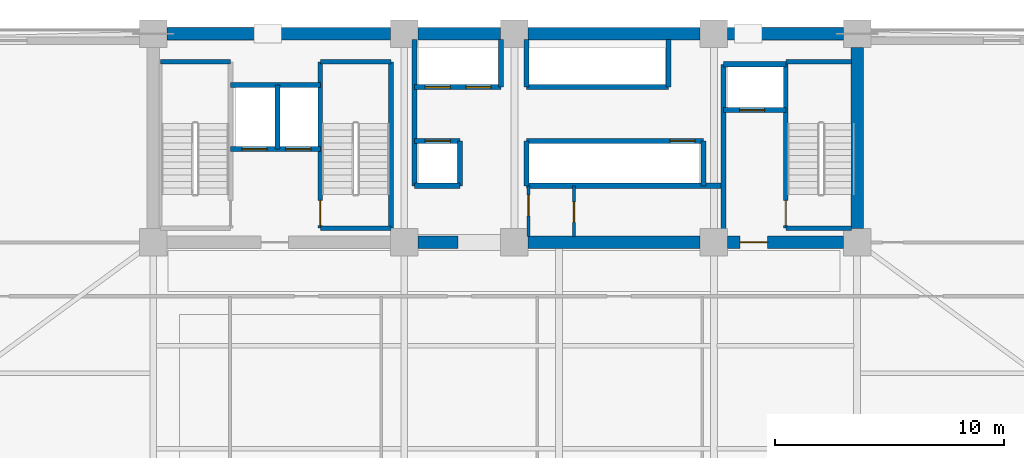
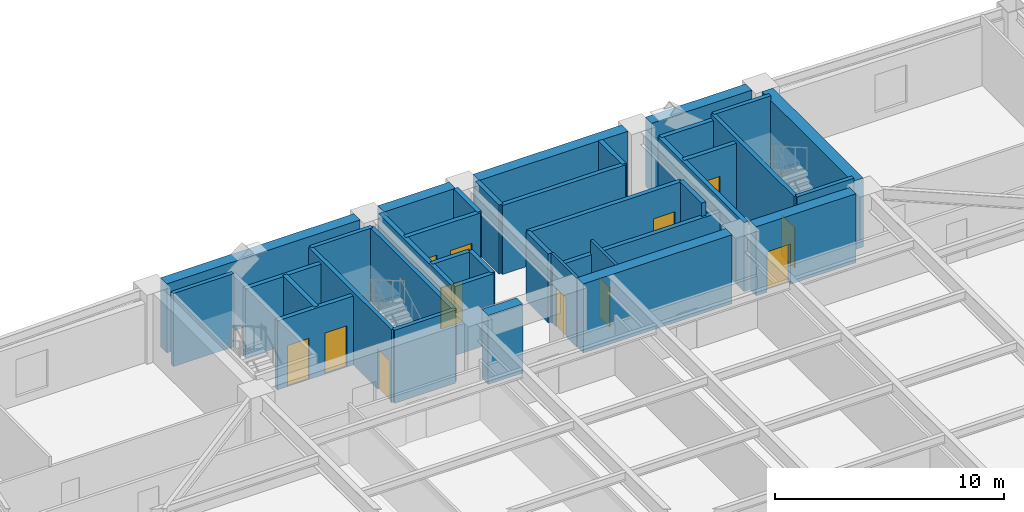
# One storey, part 9 of 16: 37 walls, 12 doors, 12 openings.
"""IFC4 building model written with IfcOpenShell, lengths in metres."""

from ifc_helpers import new_model, si_unit, direction, frame, frame_2d, origin, place, context, subcontext, project, spatial, rectangle, extrude, source, transform, mapped, material, layer, layer_set, type_object, element, fill, save


model = new_model("IFC4")

# Units and contexts
model_context = context("Model", 3, precision=1e-05, world=origin(), true_north=direction((0.0, 1.0)))
body_context = subcontext(model_context, "Body", "Model", "MODEL_VIEW")
ifc_project = project(units=[si_unit("LENGTHUNIT", "METRE"), si_unit("AREAUNIT", "SQUARE_METRE"), si_unit("VOLUMEUNIT", "CUBIC_METRE"), si_unit("PLANEANGLEUNIT", "RADIAN"), si_unit("MASSUNIT", "GRAM", prefix="KILO")], contexts=[model_context])

# Site, building, storey
site_placement = place(None, origin())
site = spatial("IfcSite", under=ifc_project, at=site_placement, CompositionType="ELEMENT")
building_placement = place(site_placement, origin())
building = spatial("IfcBuilding", under=site, at=building_placement, Name="Giltprow Tower", CompositionType="ELEMENT")
storey_placement = place(building_placement, frame((0.0, 0.0, 87.39990234375)))
storey = spatial("IfcBuildingStorey", under=building, at=storey_placement, Name="L21", CompositionType="ELEMENT", Elevation=87.39990234375)

# Wall, openings, doors
ifc_material_1 = material(Name="Concrete C40", Category="concrete")
ifc_layer_1 = layer(ifc_material_1, 0.219970703125, Name="Concrete C40")
ifc_layer_set_1 = layer_set([ifc_layer_1], Name="Concrete C40")
wall_type_1 = type_object("IfcWallType", Name="IW-SHAFT-220", PredefinedType="SOLIDWALL", material=ifc_layer_set_1)
wall_1_placement = place(storey_placement, frame((23.219970703125, 41.52001953125, 0.0), z_axis=(0.0, 0.0, 1.0), x_axis=(1.0, 0.0, 0.0)))
wall_1 = element("IfcWall", 1, at=wall_1_placement, inside=storey, type_object=wall_type_1, Name="L21 FFL1 and Service Lift Front Wall", PredefinedType="SOLIDWALL", context=body_context, shape_type="SweptSolid", body=[
    extrude(rectangle(XDim=3.919921875, YDim=0.219970703125, at=frame_2d((1.9599609375, 0.0))), origin(), (0.0, 0.0, 1.0), 3.68017578125),
])
opening_1_placement = place(wall_1_placement, frame((0.5, 0.0, 0.0)))
opening_1 = element("IfcOpeningElement", 2, at=opening_1_placement, cuts=wall_1, Name="Opening LD-11", PredefinedType="OPENING", context=body_context, shape_type="SweptSolid", body=[
    extrude(rectangle(XDim=1.10009765625, YDim=2.199951171875, at=frame_2d((0.550048828125, 1.10009765625))), frame((0.0, 0.119873046875, 0.0), z_axis=(0.0, -1.0, 0.0), x_axis=(1.0, 0.0, 0.0)), (0.0, 0.0, 1.0), 0.239990234375),
])
opening_2_placement = place(wall_1_placement, frame((2.39990234375, 0.0, 0.0)))
opening_2 = element("IfcOpeningElement", 3, at=opening_2_placement, cuts=wall_1, Name="Opening LD-11", PredefinedType="OPENING", context=body_context, shape_type="SweptSolid", body=[
    extrude(rectangle(XDim=1.10009765625, YDim=2.199951171875, at=frame_2d((0.550048828125, 1.10009765625))), frame((0.0, 0.119873046875, 0.0), z_axis=(0.0, -1.0, 0.0), x_axis=(1.0, 0.0, 0.0)), (0.0, 0.0, 1.0), 0.239990234375),
])
ifc_material_2 = material(Name="Stainless steel", Category="steel")
door_type_1 = type_object("IfcDoorType", Name="DR-LIFT-LD1100", OperationType="SLIDING_TO_LEFT", PredefinedType="DOOR", material=ifc_material_2)
shared_shape_1 = source(origin(), body_context, "Body", "SweptSolid", [
    extrude(rectangle(XDim=1.10009765625, YDim=2.199951171875, at=frame_2d((0.550048828125, 1.10009765625))), frame((0.0, 0.02490234375, 0.0), z_axis=(0.0, -1.0, 0.0), x_axis=(1.0, 0.0, 0.0)), (0.0, 0.0, 1.0), 0.050048828125),
])
door_1_placement = place(opening_1_placement, origin())
door_1 = element("IfcDoor", 4, at=door_1_placement, inside=storey, type_object=door_type_1, Name="L21 FFL1 Landing Door", OperationType="SLIDING_TO_LEFT", OverallHeight=2.199951171875, OverallWidth=1.10009765625, PredefinedType="DOOR", context=body_context, shape_type="MappedRepresentation", body=[
    mapped(shared_shape_1, transform((0.0, 0.0, 0.0), x_axis=(1.0, 0.0, 0.0), y_axis=(0.0, 1.0, 0.0), z_axis=(0.0, 0.0, 1.0), scale=1.0)),
])
fill(opening_1, door_1)
door_2_placement = place(opening_2_placement, origin())
door_2 = element("IfcDoor", 5, at=door_2_placement, inside=storey, type_object=door_type_1, Name="L21 SVL1 Landing Door", OperationType="SLIDING_TO_LEFT", OverallHeight=2.199951171875, OverallWidth=1.10009765625, PredefinedType="DOOR", context=body_context, shape_type="MappedRepresentation", body=[
    mapped(shared_shape_1, transform((0.0, 0.0, 0.0), x_axis=(1.0, 0.0, 0.0), y_axis=(0.0, 1.0, 0.0), z_axis=(0.0, 0.0, 1.0), scale=1.0)),
])
fill(opening_2, door_2)

# Walls
wall_2_placement = place(storey_placement, frame((25.260009765625, 41.52001953125, 0.0), z_axis=(0.0, 0.0, 1.0), x_axis=(0.0, 1.0, 0.0)))
element("IfcWall", 6, at=wall_2_placement, inside=storey, type_object=wall_type_1, Name="L21 FFL1-SVL1 Shaft Divider", PredefinedType="SOLIDWALL", context=body_context, shape_type="SweptSolid", body=[
    extrude(rectangle(XDim=2.800048828125, YDim=0.219970703125, at=frame_2d((1.39990234375, 0.0))), origin(), (0.0, 0.0, 1.0), 3.68017578125),
])
wall_3_placement = place(storey_placement, frame((23.219970703125, 44.320068359375, 0.0), z_axis=(0.0, 0.0, 1.0), x_axis=(1.0, 0.0, 0.0)))
element("IfcWall", 7, at=wall_3_placement, inside=storey, type_object=wall_type_1, Name="L21 FFL1-SVL1 Back Shaft Wall", PredefinedType="SOLIDWALL", context=body_context, shape_type="SweptSolid", body=[
    extrude(rectangle(XDim=3.919921875, YDim=0.219970703125, at=frame_2d((1.9599609375, 0.0))), origin(), (0.0, 0.0, 1.0), 3.68017578125),
])

# Wall, opening, door
wall_4_placement = place(storey_placement, frame((44.719970703125, 43.219970703125, 0.0), z_axis=(0.0, 0.0, 1.0), x_axis=(1.0, 0.0, 0.0)))
wall_4 = element("IfcWall", 8, at=wall_4_placement, inside=storey, type_object=wall_type_1, Name="L21 FFL2 Front Shaft Wall", PredefinedType="SOLIDWALL", context=body_context, shape_type="SweptSolid", body=[
    extrude(rectangle(XDim=2.719970703125, YDim=0.219970703125, at=frame_2d((1.35986328125, 0.0))), origin(), (0.0, 0.0, 1.0), 3.68017578125),
])
opening_3_placement = place(wall_4_placement, frame((0.699951171875, 0.0, 0.0)))
opening_3 = element("IfcOpeningElement", 9, at=opening_3_placement, cuts=wall_4, Name="Opening LD-11", PredefinedType="OPENING", context=body_context, shape_type="SweptSolid", body=[
    extrude(rectangle(XDim=1.10009765625, YDim=2.199951171875, at=frame_2d((0.550048828125, 1.10009765625))), frame((0.0, 0.119873046875, 0.0), z_axis=(0.0, -1.0, 0.0), x_axis=(1.0, 0.0, 0.0)), (0.0, 0.0, 1.0), 0.239990234375),
])
door_3_placement = place(opening_3_placement, origin())
door_3 = element("IfcDoor", 10, at=door_3_placement, inside=storey, type_object=door_type_1, Name="L21 FFL2 Landing Door", OperationType="SLIDING_TO_LEFT", OverallHeight=2.199951171875, OverallWidth=1.10009765625, PredefinedType="DOOR", context=body_context, shape_type="MappedRepresentation", body=[
    mapped(shared_shape_1, transform((0.0, 0.0, 0.0), x_axis=(1.0, 0.0, 0.0), y_axis=(0.0, 1.0, 0.0), z_axis=(0.0, 0.0, 1.0), scale=1.0)),
])
fill(opening_3, door_3)

# Walls
wall_5_placement = place(storey_placement, frame((44.719970703125, 45.219970703125, 0.0), z_axis=(0.0, 0.0, 1.0), x_axis=(1.0, 0.0, 0.0)))
element("IfcWall", 11, at=wall_5_placement, inside=storey, type_object=wall_type_1, Name="L21 FFL2 Back Shaft Wall", PredefinedType="SOLIDWALL", context=body_context, shape_type="SweptSolid", body=[
    extrude(rectangle(XDim=2.719970703125, YDim=0.219970703125, at=frame_2d((1.35986328125, 0.0))), origin(), (0.0, 0.0, 1.0), 3.68017578125),
])
wall_6_placement = place(storey_placement, frame((44.719970703125, 37.705078125, 0.0), z_axis=(0.0, 0.0, 1.0), x_axis=(0.0, 1.0, 0.0)))
element("IfcWall", 12, at=wall_6_placement, inside=storey, type_object=wall_type_1, Name="L21 East Firefighting Lobby West Wall", PredefinedType="SOLIDWALL", context=body_context, shape_type="SweptSolid", body=[
    extrude(rectangle(XDim=7.514892578125, YDim=0.219970703125, at=frame_2d((3.75732421875, 0.0))), origin(), (0.0, 0.0, 1.0), 3.68017578125),
])

# Wall, openings, doors
wall_7_placement = place(storey_placement, frame((31.25, 44.219970703125, 0.0), z_axis=(0.0, 0.0, 1.0), x_axis=(1.0, 0.0, 0.0)))
wall_7 = element("IfcWall", 13, at=wall_7_placement, inside=storey, type_object=wall_type_1, Name="L21 North West Lift Shaft Front Wall", PredefinedType="SOLIDWALL", context=body_context, shape_type="SweptSolid", body=[
    extrude(rectangle(XDim=3.77001953125, YDim=0.219970703125, at=frame_2d((1.885009765625, 0.0))), origin(), (0.0, 0.0, 1.0), 3.68017578125),
])
opening_4_placement = place(wall_7_placement, frame((0.4599609375, 0.0, 0.0)))
opening_4 = element("IfcOpeningElement", 14, at=opening_4_placement, cuts=wall_7, Name="Opening LD-11", PredefinedType="OPENING", context=body_context, shape_type="SweptSolid", body=[
    extrude(rectangle(XDim=1.10009765625, YDim=2.199951171875, at=frame_2d((0.550048828125, 1.10009765625))), frame((0.0, 0.119873046875, 0.0), z_axis=(0.0, -1.0, 0.0), x_axis=(1.0, 0.0, 0.0)), (0.0, 0.0, 1.0), 0.239990234375),
])
opening_5_placement = place(wall_7_placement, frame((2.239990234375, 0.0, 0.0)))
opening_5 = element("IfcOpeningElement", 15, at=opening_5_placement, cuts=wall_7, Name="Opening LD-11", PredefinedType="OPENING", context=body_context, shape_type="SweptSolid", body=[
    extrude(rectangle(XDim=1.10009765625, YDim=2.199951171875, at=frame_2d((0.550048828125, 1.10009765625))), frame((0.0, 0.119873046875, 0.0), z_axis=(0.0, -1.0, 0.0), x_axis=(1.0, 0.0, 0.0)), (0.0, 0.0, 1.0), 0.239990234375),
])
door_4_placement = place(opening_4_placement, origin())
door_4 = element("IfcDoor", 16, at=door_4_placement, inside=storey, type_object=door_type_1, Name="L21 PL-L1 Landing Door", OperationType="SLIDING_TO_LEFT", OverallHeight=2.199951171875, OverallWidth=1.10009765625, PredefinedType="DOOR", context=body_context, shape_type="MappedRepresentation", body=[
    mapped(shared_shape_1, transform((0.0, 0.0, 0.0), x_axis=(1.0, 0.0, 0.0), y_axis=(0.0, 1.0, 0.0), z_axis=(0.0, 0.0, 1.0), scale=1.0)),
])
fill(opening_4, door_4)
door_5_placement = place(opening_5_placement, origin())
door_5 = element("IfcDoor", 17, at=door_5_placement, inside=storey, type_object=door_type_1, Name="L21 PL-L2 Landing Door", OperationType="SLIDING_TO_LEFT", OverallHeight=2.199951171875, OverallWidth=1.10009765625, PredefinedType="DOOR", context=body_context, shape_type="MappedRepresentation", body=[
    mapped(shared_shape_1, transform((0.0, 0.0, 0.0), x_axis=(1.0, 0.0, 0.0), y_axis=(0.0, 1.0, 0.0), z_axis=(0.0, 0.0, 1.0), scale=1.0)),
])
fill(opening_5, door_5)

# Walls
wall_8_placement = place(storey_placement, frame((36.1201171875, 44.219970703125, 0.0), z_axis=(0.0, 0.0, 1.0), x_axis=(1.0, 0.0, 0.0)))
element("IfcWall", 18, at=wall_8_placement, inside=storey, type_object=wall_type_1, Name="L21 North East Lift Shaft Front Wall", PredefinedType="SOLIDWALL", context=body_context, shape_type="SweptSolid", body=[
    extrude(rectangle(XDim=6.199951171875, YDim=0.219970703125, at=frame_2d((3.10009765625, 0.0))), origin(), (0.0, 0.0, 1.0), 3.68017578125),
])
for number, where, z_axis, x_axis, name in (
    (19, (35.02001953125, 44.219970703125, 0.0), (0.0, 0.0, 1.0), (0.0, 1.0, 0.0), "L21 North West Lift Shaft East Closure"),
    (20, (36.1201171875, 44.219970703125, 0.0), (0.0, 0.0, 1.0), (0.0, 1.0, 0.0), "L21 North East Lift Shaft West Closure"),
    (21, (42.320068359375, 44.219970703125, 0.0), (0.0, 0.0, 1.0), (0.0, 1.0, 0.0), "L21 North East Lift Shaft East Closure"),
):
    element("IfcWall", number, at=place(storey_placement, frame(where, z_axis=z_axis, x_axis=x_axis)), inside=storey, type_object=wall_type_1, Name=name, PredefinedType="SOLIDWALL", context=body_context, shape_type="SweptSolid", body=[
        extrude(rectangle(XDim=2.074951171875, YDim=0.219970703125, at=frame_2d((1.03759765625, 0.0))), origin(), (0.0, 0.0, 1.0), 3.68017578125),
    ])

# Wall, opening, door
wall_9_placement = place(storey_placement, frame((31.25, 41.8798828125, 0.0), z_axis=(0.0, 0.0, 1.0), x_axis=(1.0, 0.0, 0.0)))
wall_9 = element("IfcWall", 22, at=wall_9_placement, inside=storey, type_object=wall_type_1, Name="L21 South West Lift Shaft Front Wall", PredefinedType="SOLIDWALL", context=body_context, shape_type="SweptSolid", body=[
    extrude(rectangle(XDim=1.969970703125, YDim=0.219970703125, at=frame_2d((0.98486328125, 0.0))), origin(), (0.0, 0.0, 1.0), 3.68017578125),
])
opening_6_placement = place(wall_9_placement, frame((0.4599609375, 0.0, 0.0)))
opening_6 = element("IfcOpeningElement", 23, at=opening_6_placement, cuts=wall_9, Name="Opening LD-11", PredefinedType="OPENING", context=body_context, shape_type="SweptSolid", body=[
    extrude(rectangle(XDim=1.10009765625, YDim=2.199951171875, at=frame_2d((0.550048828125, 1.10009765625))), frame((0.0, 0.119873046875, 0.0), z_axis=(0.0, -1.0, 0.0), x_axis=(1.0, 0.0, 0.0)), (0.0, 0.0, 1.0), 0.239990234375),
])
door_6_placement = place(opening_6_placement, origin())
door_6 = element("IfcDoor", 24, at=door_6_placement, inside=storey, type_object=door_type_1, Name="L21 PL-L3 Landing Door", OperationType="SLIDING_TO_LEFT", OverallHeight=2.199951171875, OverallWidth=1.10009765625, PredefinedType="DOOR", context=body_context, shape_type="MappedRepresentation", body=[
    mapped(shared_shape_1, transform((0.0, 0.0, 0.0), x_axis=(1.0, 0.0, 0.0), y_axis=(0.0, 1.0, 0.0), z_axis=(0.0, 0.0, 1.0), scale=1.0)),
])
fill(opening_6, door_6)

wall_10_placement = place(storey_placement, frame((36.1201171875, 41.8798828125, 0.0), z_axis=(0.0, 0.0, 1.0), x_axis=(1.0, 0.0, 0.0)))
wall_10 = element("IfcWall", 25, at=wall_10_placement, inside=storey, type_object=wall_type_1, Name="L21 South East Lift Shaft Front Wall", PredefinedType="SOLIDWALL", context=body_context, shape_type="SweptSolid", body=[
    extrude(rectangle(XDim=7.72998046875, YDim=0.219970703125, at=frame_2d((3.864990234375, 0.0))), origin(), (0.0, 0.0, 1.0), 3.68017578125),
])
opening_7_placement = place(wall_10_placement, frame((6.260009765625, 0.0, 0.0)))
opening_7 = element("IfcOpeningElement", 26, at=opening_7_placement, cuts=wall_10, Name="Opening LD-11", PredefinedType="OPENING", context=body_context, shape_type="SweptSolid", body=[
    extrude(rectangle(XDim=1.10009765625, YDim=2.199951171875, at=frame_2d((0.550048828125, 1.10009765625))), frame((0.0, 0.119873046875, 0.0), z_axis=(0.0, -1.0, 0.0), x_axis=(1.0, 0.0, 0.0)), (0.0, 0.0, 1.0), 0.239990234375),
])
door_7_placement = place(opening_7_placement, origin())
door_7 = element("IfcDoor", 27, at=door_7_placement, inside=storey, type_object=door_type_1, Name="L21 PL-L4 Landing Door", OperationType="SLIDING_TO_LEFT", OverallHeight=2.199951171875, OverallWidth=1.10009765625, PredefinedType="DOOR", context=body_context, shape_type="MappedRepresentation", body=[
    mapped(shared_shape_1, transform((0.0, 0.0, 0.0), x_axis=(1.0, 0.0, 0.0), y_axis=(0.0, 1.0, 0.0), z_axis=(0.0, 0.0, 1.0), scale=1.0)),
])
fill(opening_7, door_7)

# Walls
wall_11_placement = place(storey_placement, frame((31.25, 39.919921875, 0.0), z_axis=(0.0, 0.0, 1.0), x_axis=(1.0, 0.0, 0.0)))
element("IfcWall", 28, at=wall_11_placement, inside=storey, type_object=wall_type_1, Name="L21 Low-Rise South Lift Back Wall", PredefinedType="SOLIDWALL", context=body_context, shape_type="SweptSolid", body=[
    extrude(rectangle(XDim=1.969970703125, YDim=0.219970703125, at=frame_2d((0.98486328125, 0.0))), origin(), (0.0, 0.0, 1.0), 3.68017578125),
])
wall_12_placement = place(storey_placement, frame((33.219970703125, 39.919921875, 0.0), z_axis=(0.0, 0.0, 1.0), x_axis=(0.0, 1.0, 0.0)))
element("IfcWall", 29, at=wall_12_placement, inside=storey, type_object=wall_type_1, Name="L21 Low-Rise South Lift East Closure", PredefinedType="SOLIDWALL", context=body_context, shape_type="SweptSolid", body=[
    extrude(rectangle(XDim=1.9599609375, YDim=0.219970703125, at=frame_2d((0.97998046875, 0.0))), origin(), (0.0, 0.0, 1.0), 3.68017578125),
])
wall_13_placement = place(storey_placement, frame((36.1201171875, 39.919921875, 0.0), z_axis=(0.0, 0.0, 1.0), x_axis=(1.0, 0.0, 0.0)))
element("IfcWall", 30, at=wall_13_placement, inside=storey, type_object=wall_type_1, Name="L21 Express South Shaft Back Wall", PredefinedType="SOLIDWALL", context=body_context, shape_type="SweptSolid", body=[
    extrude(rectangle(XDim=8.599853515625, YDim=0.219970703125, at=frame_2d((4.2998046875, 0.0))), origin(), (0.0, 0.0, 1.0), 2.965087890625),
])
wall_14_placement = place(storey_placement, frame((36.1201171875, 39.919921875, 0.0), z_axis=(0.0, 0.0, 1.0), x_axis=(0.0, 1.0, 0.0)))
element("IfcWall", 31, at=wall_14_placement, inside=storey, type_object=wall_type_1, Name="L21 Express South Shaft West Closure", PredefinedType="SOLIDWALL", context=body_context, shape_type="SweptSolid", body=[
    extrude(rectangle(XDim=1.9599609375, YDim=0.219970703125, at=frame_2d((0.97998046875, 0.0))), origin(), (0.0, 0.0, 1.0), 3.68017578125),
])
wall_15_placement = place(storey_placement, frame((31.25, 39.919921875, 0.0), z_axis=(0.0, 0.0, 1.0), x_axis=(0.0, 1.0, 0.0)))
element("IfcWall", 32, at=wall_15_placement, inside=storey, type_object=wall_type_1, Name="L21 Lift Bank West Closure", PredefinedType="SOLIDWALL", context=body_context, shape_type="SweptSolid", body=[
    extrude(rectangle(XDim=6.375, YDim=0.219970703125, at=frame_2d((3.1875, 0.0))), origin(), (0.0, 0.0, 1.0), 3.68017578125),
])
wall_16_placement = place(storey_placement, frame((43.85009765625, 39.919921875, 0.0), z_axis=(0.0, 0.0, 1.0), x_axis=(0.0, 1.0, 0.0)))
element("IfcWall", 33, at=wall_16_placement, inside=storey, type_object=wall_type_1, Name="L21 Lift Bank South-East Closure", PredefinedType="SOLIDWALL", context=body_context, shape_type="SweptSolid", body=[
    extrude(rectangle(XDim=1.9599609375, YDim=0.219970703125, at=frame_2d((0.97998046875, 0.0))), origin(), (0.0, 0.0, 1.0), 3.68017578125),
])
ifc_layer_2 = layer(ifc_material_1, 0.199951171875, Name="Concrete C40")
ifc_layer_set_2 = layer_set([ifc_layer_2], Name="Concrete C40")
wall_type_2 = type_object("IfcWallType", Name="IW-STAIR-200", PredefinedType="SOLIDWALL", material=ifc_layer_set_2)
wall_17_placement = place(storey_placement, frame((20.169921875, 45.320068359375, 0.0), z_axis=(0.0, 0.0, 1.0), x_axis=(1.0, 0.0, 0.0)))
element("IfcWall", 34, at=wall_17_placement, inside=storey, type_object=wall_type_2, Name="L21 Stair ST-1 North Bearing Wall", PredefinedType="SOLIDWALL", context=body_context, shape_type="SweptSolid", body=[
    extrude(rectangle(XDim=3.050048828125, YDim=0.199951171875, at=frame_2d((1.52490234375, 0.0))), origin(), (0.0, 0.0, 1.0), 3.900146484375),
])

# Wall, opening, door
wall_18_placement = place(storey_placement, frame((27.139892578125, 38.070068359375, 0.0), z_axis=(0.0, 0.0, 1.0), x_axis=(0.0, 1.0, 0.0)))
wall_18 = element("IfcWall", 35, at=wall_18_placement, inside=storey, type_object=wall_type_2, Name="L21 Stair ST-2 West Bearing Wall", PredefinedType="SOLIDWALL", context=body_context, shape_type="SweptSolid", body=[
    extrude(rectangle(XDim=7.25, YDim=0.199951171875, at=frame_2d((3.625, 0.0))), origin(), (0.0, 0.0, 1.0), 3.900146484375),
])
opening_8_placement = place(wall_18_placement, frame((0.110107421875, 0.0, 0.0)))
opening_8 = element("IfcOpeningElement", 36, at=opening_8_placement, cuts=wall_18, Name="Opening ID33", PredefinedType="OPENING", context=body_context, shape_type="SweptSolid", body=[
    extrude(rectangle(XDim=1.10009765625, YDim=2.14990234375, at=frame_2d((0.550048828125, 1.074951171875))), frame((0.0, 0.10986328125, 0.0), z_axis=(0.0, -1.0, 0.0), x_axis=(1.0, 0.0, 0.0)), (0.0, 0.0, 1.0), 0.219970703125),
])
ifc_material_3 = material(Name="Steel fire leaf", Category="steel")
door_type_2 = type_object("IfcDoorType", Name="DR-STAIR-1100", OperationType="SINGLE_SWING_LEFT", PredefinedType="DOOR", material=ifc_material_3)
shared_shape_2 = source(origin(), body_context, "Body", "SweptSolid", [
    extrude(rectangle(XDim=1.10009765625, YDim=2.14990234375, at=frame_2d((0.550048828125, 1.074951171875))), frame((0.0, 0.02490234375, 0.0), z_axis=(0.0, -1.0, 0.0), x_axis=(1.0, 0.0, 0.0)), (0.0, 0.0, 1.0), 0.050048828125),
])
door_8_placement = place(opening_8_placement, origin())
door_8 = element("IfcDoor", 37, at=door_8_placement, inside=storey, type_object=door_type_2, Name="L21 Stair ST-2 Fire Door", OperationType="SINGLE_SWING_RIGHT", OverallHeight=2.14990234375, OverallWidth=1.10009765625, PredefinedType="DOOR", context=body_context, shape_type="MappedRepresentation", body=[
    mapped(shared_shape_2, transform((0.0, 0.0, 0.0), x_axis=(1.0, 0.0, 0.0), y_axis=(0.0, 1.0, 0.0), z_axis=(0.0, 0.0, 1.0), scale=1.0)),
])
fill(opening_8, door_8)

# Walls
wall_19_placement = place(storey_placement, frame((30.219970703125, 38.070068359375, 0.0), z_axis=(0.0, 0.0, 1.0), x_axis=(0.0, 1.0, 0.0)))
element("IfcWall", 38, at=wall_19_placement, inside=storey, type_object=wall_type_2, Name="L21 Stair ST-2 East Bearing Wall", PredefinedType="SOLIDWALL", context=body_context, shape_type="SweptSolid", body=[
    extrude(rectangle(XDim=7.25, YDim=0.199951171875, at=frame_2d((3.625, 0.0))), origin(), (0.0, 0.0, 1.0), 3.900146484375),
])
for number, where, z_axis, x_axis, name in (
    (39, (27.139892578125, 45.320068359375, 0.0), (0.0, 0.0, 1.0), (1.0, 0.0, 0.0), "L21 Stair ST-2 North Bearing Wall"),
    (40, (27.139892578125, 38.070068359375, 0.0), (0.0, 0.0, 1.0), (1.0, 0.0, 0.0), "L21 Stair ST-2 South Bearing Wall"),
):
    element("IfcWall", number, at=place(storey_placement, frame(where, z_axis=z_axis, x_axis=x_axis)), inside=storey, type_object=wall_type_2, Name=name, PredefinedType="SOLIDWALL", context=body_context, shape_type="SweptSolid", body=[
        extrude(rectangle(XDim=3.080078125, YDim=0.199951171875, at=frame_2d((1.5400390625, 0.0))), origin(), (0.0, 0.0, 1.0), 3.900146484375),
    ])

# Wall, opening, door
wall_20_placement = place(storey_placement, frame((47.43994140625, 38.070068359375, 0.0), z_axis=(0.0, 0.0, 1.0), x_axis=(0.0, 1.0, 0.0)))
wall_20 = element("IfcWall", 41, at=wall_20_placement, inside=storey, type_object=wall_type_2, Name="L21 Stair ST-3 West Bearing Wall", PredefinedType="SOLIDWALL", context=body_context, shape_type="SweptSolid", body=[
    extrude(rectangle(XDim=7.25, YDim=0.199951171875, at=frame_2d((3.625, 0.0))), origin(), (0.0, 0.0, 1.0), 3.900146484375),
])
opening_9_placement = place(wall_20_placement, frame((0.110107421875, 0.0, 0.0)))
opening_9 = element("IfcOpeningElement", 42, at=opening_9_placement, cuts=wall_20, Name="Opening ID33", PredefinedType="OPENING", context=body_context, shape_type="SweptSolid", body=[
    extrude(rectangle(XDim=1.10009765625, YDim=2.14990234375, at=frame_2d((0.550048828125, 1.074951171875))), frame((0.0, 0.10986328125, 0.0), z_axis=(0.0, -1.0, 0.0), x_axis=(1.0, 0.0, 0.0)), (0.0, 0.0, 1.0), 0.219970703125),
])
door_9_placement = place(opening_9_placement, origin())
door_9 = element("IfcDoor", 43, at=door_9_placement, inside=storey, type_object=door_type_2, Name="L21 Stair ST-3 Fire Door", OperationType="SINGLE_SWING_LEFT", OverallHeight=2.14990234375, OverallWidth=1.10009765625, PredefinedType="DOOR", context=body_context, shape_type="MappedRepresentation", body=[
    mapped(shared_shape_2, transform((0.0, 0.0, 0.0), x_axis=(1.0, 0.0, 0.0), y_axis=(0.0, 1.0, 0.0), z_axis=(0.0, 0.0, 1.0), scale=1.0)),
])
fill(opening_9, door_9)

# Walls
for number, where, z_axis, x_axis, name in (
    (44, (47.43994140625, 45.320068359375, 0.0), (0.0, 0.0, 1.0), (1.0, 0.0, 0.0), "L21 Stair ST-3 North Bearing Wall"),
    (45, (47.43994140625, 38.070068359375, 0.0), (0.0, 0.0, 1.0), (1.0, 0.0, 0.0), "L21 Stair ST-3 South Bearing Wall"),
):
    element("IfcWall", number, at=place(storey_placement, frame(where, z_axis=z_axis, x_axis=x_axis)), inside=storey, type_object=wall_type_2, Name=name, PredefinedType="SOLIDWALL", context=body_context, shape_type="SweptSolid", body=[
        extrude(rectangle(XDim=2.85498046875, YDim=0.199951171875, at=frame_2d((1.427490234375, 0.0))), origin(), (0.0, 0.0, 1.0), 3.900146484375),
    ])

# Wall, opening, door
ifc_material_4 = material(Name="Concrete C30", Category="concrete")
ifc_layer_3 = layer(ifc_material_4, 0.1298828125, Name="Concrete C30")
ifc_layer_set_3 = layer_set([ifc_layer_3], Name="Concrete C30")
wall_type_3 = type_object("IfcWallType", Name="IW-WET-130", PredefinedType="PARTITIONING", material=ifc_layer_set_3)
wall_21_placement = place(storey_placement, frame((36.219970703125, 37.705078125, 0.0), z_axis=(0.0, 0.0, 1.0), x_axis=(0.0, 1.0, 0.0)))
wall_21 = element("IfcWall", 46, at=wall_21_placement, inside=storey, type_object=wall_type_3, Name="L21 Core Suite West Wall", PredefinedType="PARTITIONING", context=body_context, shape_type="SweptSolid", body=[
    extrude(rectangle(XDim=2.21484375, YDim=0.1298828125, at=frame_2d((1.107421875, 0.0))), origin(), (0.0, 0.0, 1.0), 3.68017578125),
])
opening_10_placement = place(wall_21_placement, frame((0.905029296875, 0.0, 0.0)))
opening_10 = element("IfcOpeningElement", 47, at=opening_10_placement, cuts=wall_21, Name="Opening ID35", PredefinedType="OPENING", context=body_context, shape_type="SweptSolid", body=[
    extrude(rectangle(XDim=0.89990234375, YDim=2.10009765625, at=frame_2d((0.449951171875, 1.050048828125))), frame((0.0, 0.074951171875, 0.0), z_axis=(0.0, -1.0, 0.0), x_axis=(1.0, 0.0, 0.0)), (0.0, 0.0, 1.0), 0.14990234375),
])
door_type_3 = type_object("IfcDoorType", Name="DR-SHAFT-900", OperationType="SINGLE_SWING_LEFT", PredefinedType="DOOR", material=ifc_material_3)
shared_shape_3 = source(origin(), body_context, "Body", "SweptSolid", [
    extrude(rectangle(XDim=0.89990234375, YDim=2.10009765625, at=frame_2d((0.449951171875, 1.050048828125))), frame((0.0, 0.02490234375, 0.0), z_axis=(0.0, -1.0, 0.0), x_axis=(1.0, 0.0, 0.0)), (0.0, 0.0, 1.0), 0.050048828125),
])
door_10_placement = place(opening_10_placement, origin())
door_10 = element("IfcDoor", 48, at=door_10_placement, inside=storey, type_object=door_type_3, Name="L21 Core Accessible WC Door", OperationType="SINGLE_SWING_RIGHT", OverallHeight=2.10009765625, OverallWidth=0.89990234375, PredefinedType="DOOR", context=body_context, shape_type="MappedRepresentation", body=[
    mapped(shared_shape_3, transform((0.0, 0.0, 0.0), x_axis=(1.0, 0.0, 0.0), y_axis=(0.0, 1.0, 0.0), z_axis=(0.0, 0.0, 1.0), scale=1.0)),
])
fill(opening_10, door_10)

wall_22_placement = place(storey_placement, frame((38.199951171875, 37.705078125, 0.0), z_axis=(0.0, 0.0, 1.0), x_axis=(0.0, 1.0, 0.0)))
wall_22 = element("IfcWall", 49, at=wall_22_placement, inside=storey, type_object=wall_type_3, Name="L21 Core Suite Asymmetric Wall", PredefinedType="PARTITIONING", context=body_context, shape_type="SweptSolid", body=[
    extrude(rectangle(XDim=2.21484375, YDim=0.1298828125, at=frame_2d((1.107421875, 0.0))), origin(), (0.0, 0.0, 1.0), 3.68017578125),
])
opening_11_placement = place(wall_22_placement, frame((0.614990234375, 0.0, 0.0)))
opening_11 = element("IfcOpeningElement", 50, at=opening_11_placement, cuts=wall_22, Name="Opening ID35", PredefinedType="OPENING", context=body_context, shape_type="SweptSolid", body=[
    extrude(rectangle(XDim=0.89990234375, YDim=2.10009765625, at=frame_2d((0.449951171875, 1.050048828125))), frame((0.0, 0.074951171875, 0.0), z_axis=(0.0, -1.0, 0.0), x_axis=(1.0, 0.0, 0.0)), (0.0, 0.0, 1.0), 0.14990234375),
])
door_11_placement = place(opening_11_placement, origin())
door_11 = element("IfcDoor", 51, at=door_11_placement, inside=storey, type_object=door_type_3, Name="L21 Core Mail Room Door", OperationType="SINGLE_SWING_LEFT", OverallHeight=2.10009765625, OverallWidth=0.89990234375, PredefinedType="DOOR", context=body_context, shape_type="MappedRepresentation", body=[
    mapped(shared_shape_3, transform((0.0, 0.0, 0.0), x_axis=(1.0, 0.0, 0.0), y_axis=(0.0, 1.0, 0.0), z_axis=(0.0, 0.0, 1.0), scale=1.0)),
])
fill(opening_11, door_11)

# Walls
ifc_material_5 = material(Name="Concrete C60", Category="concrete")
ifc_layer_4 = layer(ifc_material_5, 0.550048828125, Name="Concrete C60")
ifc_layer_set_4 = layer_set([ifc_layer_4], Name="Concrete C60")
wall_type_4 = type_object("IfcWallType", Name="SW-EXT-550-C60", PredefinedType="SHEAR", material=ifc_layer_set_4)
wall_23_placement = place(storey_placement, frame((20.449951171875, 46.550048828125, 0.0), z_axis=(0.0, 0.0, 1.0), x_axis=(1.0, 0.0, 0.0)))
element("IfcWall", 52, at=wall_23_placement, inside=storey, type_object=wall_type_4, Name="L21 North Rear Core Shear Wall 1", PredefinedType="SHEAR", context=body_context, shape_type="SweptSolid", body=[
    extrude(rectangle(XDim=9.75, YDim=0.550048828125, at=frame_2d((4.875, 0.0))), origin(), (0.0, 0.0, 1.0), 3.68017578125),
])
wall_24_placement = place(storey_placement, frame((31.39990234375, 46.550048828125, 0.0), z_axis=(0.0, 0.0, 1.0), x_axis=(1.0, 0.0, 0.0)))
element("IfcWall", 53, at=wall_24_placement, inside=storey, type_object=wall_type_4, Name="L21 North Rear Core Shear Wall 2", PredefinedType="SHEAR", context=body_context, shape_type="SweptSolid", body=[
    extrude(rectangle(XDim=3.60009765625, YDim=0.550048828125, at=frame_2d((1.800048828125, 0.0))), origin(), (0.0, 0.0, 1.0), 3.68017578125),
])
wall_25_placement = place(storey_placement, frame((36.199951171875, 46.550048828125, 0.0), z_axis=(0.0, 0.0, 1.0), x_axis=(1.0, 0.0, 0.0)))
element("IfcWall", 54, at=wall_25_placement, inside=storey, type_object=wall_type_4, Name="L21 North Rear Core Shear Wall 3", PredefinedType="SHEAR", context=body_context, shape_type="SweptSolid", body=[
    extrude(rectangle(XDim=7.5, YDim=0.550048828125, at=frame_2d((3.75, 0.0))), origin(), (0.0, 0.0, 1.0), 3.68017578125),
])
wall_26_placement = place(storey_placement, frame((44.89990234375, 46.550048828125, 0.0), z_axis=(0.0, 0.0, 1.0), x_axis=(1.0, 0.0, 0.0)))
element("IfcWall", 55, at=wall_26_placement, inside=storey, type_object=wall_type_4, Name="L21 North Rear Core Shear Wall 4", PredefinedType="SHEAR", context=body_context, shape_type="SweptSolid", body=[
    extrude(rectangle(XDim=5.050048828125, YDim=0.550048828125, at=frame_2d((2.52490234375, 0.0))), origin(), (0.0, 0.0, 1.0), 3.68017578125),
])
ifc_layer_5 = layer(ifc_material_5, 0.550048828125, Name="Concrete C60")
ifc_layer_set_5 = layer_set([ifc_layer_5], Name="Concrete C60")
wall_type_5 = type_object("IfcWallType", Name="SW-INT-550-C60", PredefinedType="SHEAR", material=ifc_layer_set_5)
wall_27_placement = place(storey_placement, frame((31.39990234375, 37.449951171875, 0.0), z_axis=(0.0, 0.0, 1.0), x_axis=(1.0, 0.0, 0.0)))
element("IfcWall", 56, at=wall_27_placement, inside=storey, type_object=wall_type_5, Name="L21 South Rear Core Shear Wall Mid-West", PredefinedType="SHEAR", context=body_context, shape_type="SweptSolid", body=[
    extrude(rectangle(XDim=1.75, YDim=0.550048828125, at=frame_2d((0.875, 0.0))), origin(), (0.0, 0.0, 1.0), 3.68017578125),
])
wall_28_placement = place(storey_placement, frame((36.199951171875, 37.449951171875, 0.0), z_axis=(0.0, 0.0, 1.0), x_axis=(1.0, 0.0, 0.0)))
element("IfcWall", 57, at=wall_28_placement, inside=storey, type_object=wall_type_5, Name="L21 South Rear Core Shear Wall Mid-East", PredefinedType="SHEAR", context=body_context, shape_type="SweptSolid", body=[
    extrude(rectangle(XDim=7.5, YDim=0.550048828125, at=frame_2d((3.75, 0.0))), origin(), (0.0, 0.0, 1.0), 3.68017578125),
])

# Wall, opening, door
wall_29_placement = place(storey_placement, frame((44.89990234375, 37.449951171875, 0.0), z_axis=(0.0, 0.0, 1.0), x_axis=(1.0, 0.0, 0.0)))
wall_29 = element("IfcWall", 58, at=wall_29_placement, inside=storey, type_object=wall_type_5, Name="L21 South Rear Core Shear Wall East", PredefinedType="SHEAR", context=body_context, shape_type="SweptSolid", body=[
    extrude(rectangle(XDim=5.050048828125, YDim=0.550048828125, at=frame_2d((2.52490234375, 0.0))), origin(), (0.0, 0.0, 1.0), 3.68017578125),
])
opening_12_placement = place(wall_29_placement, frame((0.550048828125, 0.0, 0.0)))
opening_12 = element("IfcOpeningElement", 59, at=opening_12_placement, cuts=wall_29, Name="Opening ID19", PredefinedType="OPENING", context=body_context, shape_type="SweptSolid", body=[
    extrude(rectangle(XDim=1.199951171875, YDim=2.14990234375, at=frame_2d((0.60009765625, 1.074951171875))), frame((0.0, 0.284912109375, 0.0), z_axis=(0.0, -1.0, 0.0), x_axis=(1.0, 0.0, 0.0)), (0.0, 0.0, 1.0), 0.570068359375),
])
door_type_4 = type_object("IfcDoorType", Name="DR-FFLOBBY-1200", OperationType="SINGLE_SWING_RIGHT", PredefinedType="DOOR", material=ifc_material_3)
shared_shape_4 = source(origin(), body_context, "Body", "SweptSolid", [
    extrude(rectangle(XDim=1.199951171875, YDim=2.14990234375, at=frame_2d((0.60009765625, 1.074951171875))), frame((0.0, 0.02490234375, 0.0), z_axis=(0.0, -1.0, 0.0), x_axis=(1.0, 0.0, 0.0)), (0.0, 0.0, 1.0), 0.050048828125),
])
door_12_placement = place(opening_12_placement, origin())
door_12 = element("IfcDoor", 60, at=door_12_placement, inside=storey, type_object=door_type_4, Name="L21 East Firefighting Lobby Entry Door", OperationType="SINGLE_SWING_RIGHT", OverallHeight=2.14990234375, OverallWidth=1.199951171875, PredefinedType="DOOR", context=body_context, shape_type="MappedRepresentation", body=[
    mapped(shared_shape_4, transform((0.0, 0.0, 0.0), x_axis=(1.0, 0.0, 0.0), y_axis=(0.0, 1.0, 0.0), z_axis=(0.0, 0.0, 1.0), scale=1.0)),
])
fill(opening_12, door_12)

# Wall
wall_30_placement = place(storey_placement, frame((50.550048828125, 38.050048828125, 0.0), z_axis=(0.0, 0.0, 1.0), x_axis=(0.0, 1.0, 0.0)))
element("IfcWall", 61, at=wall_30_placement, inside=storey, type_object=wall_type_5, Name="L21 E Rear Core Shear Wall", PredefinedType="SHEAR", context=body_context, shape_type="SweptSolid", body=[
    extrude(rectangle(XDim=7.89990234375, YDim=0.550048828125, at=frame_2d((3.949951171875, 0.0))), origin(), (0.0, 0.0, 1.0), 3.68017578125),
])

save(model, "model.ifc")
